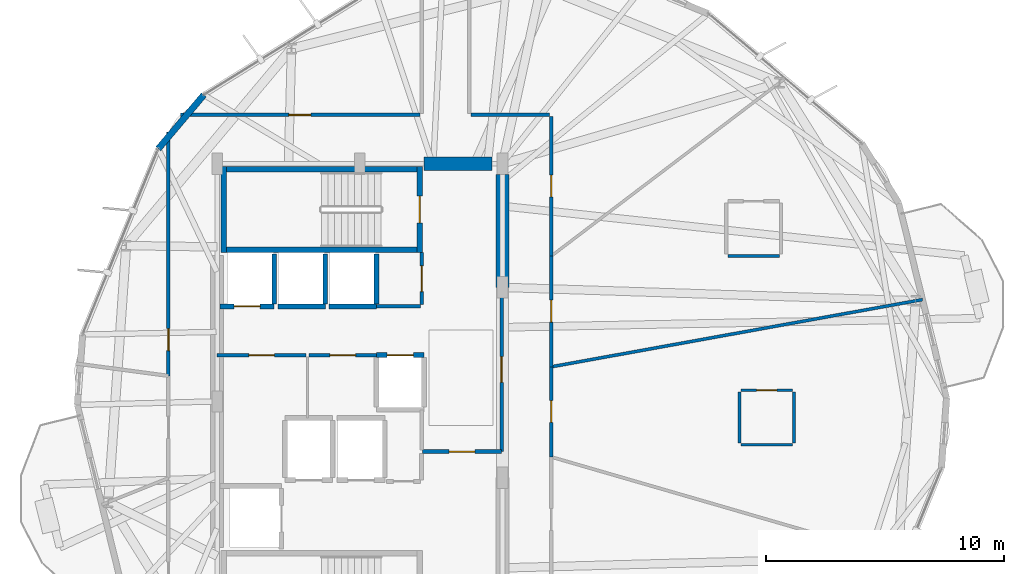
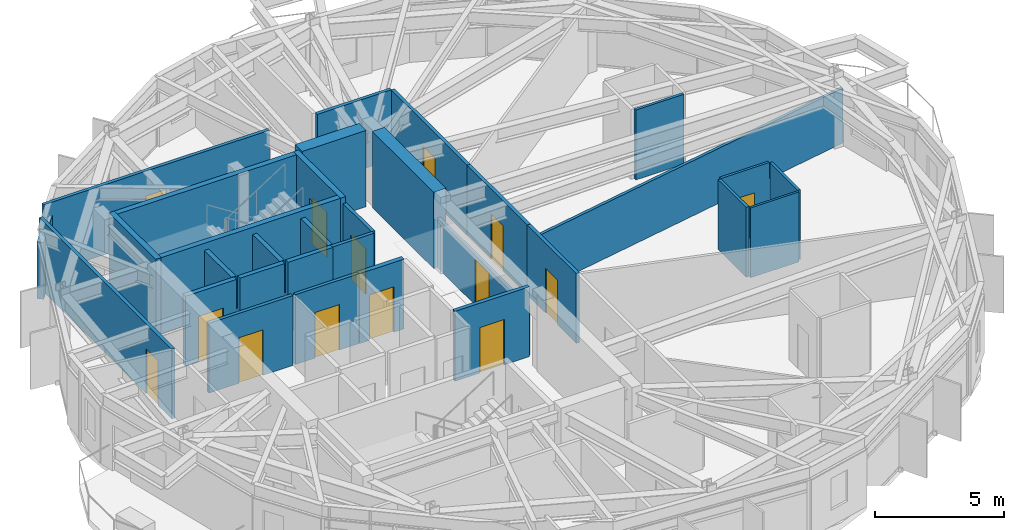
# One storey, part 16 of 21: 32 walls, 14 doors, 14 openings.
"""IFC4 building model written with IfcOpenShell, lengths in metres."""

from ifc_helpers import new_model, si_unit, direction, frame, frame_2d, origin, place, context, subcontext, project, spatial, rectangle, extrude, material, layer, layer_set, type_object, element, fill, save


model = new_model("IFC4")

# Units and contexts
model_context = context("Model", 3, precision=1e-05, world=origin(), true_north=direction((0.0, 1.0)))
body_context = subcontext(model_context, "Body", "Model", "MODEL_VIEW")
ifc_project = project(units=[si_unit("LENGTHUNIT", "METRE"), si_unit("AREAUNIT", "SQUARE_METRE"), si_unit("VOLUMEUNIT", "CUBIC_METRE"), si_unit("PLANEANGLEUNIT", "RADIAN"), si_unit("MASSUNIT", "GRAM", prefix="KILO")], contexts=[model_context])

# Site, building, storey
site_placement = place(None, origin())
site = spatial("IfcSite", under=ifc_project, at=site_placement, CompositionType="ELEMENT")
building_placement = place(site_placement, origin())
building = spatial("IfcBuilding", under=site, at=building_placement, Name="Soratama Intermodal Tower", CompositionType="ELEMENT")
storey_placement = place(building_placement, frame((0.0, 0.0, 153.39990234375)))
storey = spatial("IfcBuildingStorey", under=building, at=storey_placement, Name="L37", CompositionType="ELEMENT", Elevation=153.39990234375)

# Wall
ifc_material_1 = material(Name="Concrete f'c 42 MPa", Category="concrete")
ifc_layer_1 = layer(ifc_material_1, 0.27001953125)
ifc_layer_set_1 = layer_set([ifc_layer_1], Name="Concrete f'c 42 MPa")
wall_type_1 = type_object("IfcWallType", Name="EW-CRN-270", PredefinedType="SOLIDWALL", material=ifc_layer_set_1)
wall_1_placement = place(storey_placement, frame((32.03955078125, 37.894287109375, 0.0), z_axis=(0.0, 0.0, 1.0), x_axis=(-0.645495712839, -0.763763893299, 0.0)))
element("IfcWall", 1, at=wall_1_placement, inside=storey, type_object=wall_type_1, Name="L37 Corner Closure Wall 03", PredefinedType="SOLIDWALL", context=body_context, shape_type="SweptSolid", body=[
    extrude(rectangle(XDim=2.96630859375, YDim=0.27001953125, at=frame_2d((1.483154296875, 0.0))), origin(), (0.0, 0.0, 1.0), 2.67919921875),
])

# Wall, opening, door
ifc_material_2 = material(Name="Fire-rated gypsum stud partition", Category="concrete")
ifc_layer_2 = layer(ifc_material_2, 0.14990234375)
ifc_layer_set_2 = layer_set([ifc_layer_2], Name="Fire-rated gypsum stud partition")
wall_type_2 = type_object("IfcWallType", Name="IW-PART-R150", PredefinedType="PARTITIONING", material=ifc_layer_set_2)
wall_2_placement = place(storey_placement, frame((30.550048828125, 26.076904296875, 0.0), z_axis=(0.0, 0.0, 1.0), x_axis=(0.0, 1.0, 0.0)))
wall_2 = element("IfcWall", 2, at=wall_2_placement, inside=storey, type_object=wall_type_2, Name="L37 Partition W-L37-TP005", PredefinedType="PARTITIONING", context=body_context, shape_type="SweptSolid", body=[
    extrude(rectangle(XDim=10.254150390625, YDim=0.14990234375, at=frame_2d((5.126953125, 0.0))), origin(), (0.0, 0.0, 1.0), 3.300048828125),
])
opening_1_placement = place(wall_2_placement, frame((1.06298828125, 0.0, 0.0)))
opening_1 = element("IfcOpeningElement", 3, at=opening_1_placement, cuts=wall_2, Name="Opening ID-6", PredefinedType="OPENING", context=body_context, shape_type="SweptSolid", body=[
    extrude(rectangle(XDim=0.919921875, YDim=2.1201171875, at=frame_2d((0.4599609375, 1.06005859375))), frame((0.0, 0.0849609375, 0.0), z_axis=(0.0, -1.0, 0.0), x_axis=(1.0, 0.0, 0.0)), (0.0, 0.0, 1.0), 0.169921875),
])
ifc_material_3 = material(Name="Solid hardwood acoustic door", Category="wood")
door_type_1 = type_object("IfcDoorType", Name="DR-ROOM-920", OperationType="NOTDEFINED", PredefinedType="DOOR", material=ifc_material_3)
door_1_placement = place(opening_1_placement, origin())
door_1 = element("IfcDoor", 4, at=door_1_placement, inside=storey, type_object=door_type_1, Name="L37 Door D-L37-TP001", OperationType="SINGLE_SWING_RIGHT", OverallHeight=2.1201171875, OverallWidth=0.919921875, PredefinedType="DOOR", context=body_context, shape_type="SweptSolid", body=[
    extrude(rectangle(XDim=0.919921875, YDim=2.1201171875, at=frame_2d((0.4599609375, 1.06005859375))), frame((0.0, 0.02490234375, 0.0), z_axis=(0.0, -1.0, 0.0), x_axis=(1.0, 0.0, 0.0)), (0.0, 0.0, 1.0), 0.050048828125),
])
fill(opening_1, door_1)

wall_3_placement = place(storey_placement, frame((31.06103515625, 37.050048828125, 0.0), z_axis=(0.0, 0.0, 1.0), x_axis=(1.0, 0.0, 0.0)))
wall_3 = element("IfcWall", 5, at=wall_3_placement, inside=storey, type_object=wall_type_2, Name="L37 Partition W-L37-TP006", PredefinedType="PARTITIONING", context=body_context, shape_type="SweptSolid", body=[
    extrude(rectangle(XDim=10.06884765625, YDim=0.14990234375, at=frame_2d((5.034423828125, 0.0))), origin(), (0.0, 0.0, 1.0), 3.300048828125),
])
opening_2_placement = place(wall_3_placement, frame((4.56005859375, 0.0, 0.0)))
opening_2 = element("IfcOpeningElement", 6, at=opening_2_placement, cuts=wall_3, Name="Opening ID-6", PredefinedType="OPENING", context=body_context, shape_type="SweptSolid", body=[
    extrude(rectangle(XDim=0.919921875, YDim=2.1201171875, at=frame_2d((0.4599609375, 1.06005859375))), frame((0.0, 0.0849609375, 0.0), z_axis=(0.0, -1.0, 0.0), x_axis=(1.0, 0.0, 0.0)), (0.0, 0.0, 1.0), 0.169921875),
])
door_2_placement = place(opening_2_placement, origin())
door_2 = element("IfcDoor", 7, at=door_2_placement, inside=storey, type_object=door_type_1, Name="L37 Door D-L37-TP002", OperationType="SINGLE_SWING_LEFT", OverallHeight=2.1201171875, OverallWidth=0.919921875, PredefinedType="DOOR", context=body_context, shape_type="SweptSolid", body=[
    extrude(rectangle(XDim=0.919921875, YDim=2.1201171875, at=frame_2d((0.4599609375, 1.06005859375))), frame((0.0, 0.02490234375, 0.0), z_axis=(0.0, -1.0, 0.0), x_axis=(1.0, 0.0, 0.0)), (0.0, 0.0, 1.0), 0.050048828125),
])
fill(opening_2, door_2)

wall_4_placement = place(storey_placement, frame((44.56005859375, 29.800048828125, 0.0), z_axis=(0.0, 0.0, 1.0), x_axis=(0.0, -1.0, 0.0)))
wall_4 = element("IfcWall", 8, at=wall_4_placement, inside=storey, type_object=wall_type_2, Name="L37 Partition W-L37-TP008", PredefinedType="PARTITIONING", context=body_context, shape_type="SweptSolid", body=[
    extrude(rectangle(XDim=6.91015625, YDim=0.14990234375, at=frame_2d((3.455078125, 0.0))), origin(), (0.0, 0.0, 1.0), 2.340087890625),
])
opening_3_placement = place(wall_4_placement, frame((2.9150390625, 0.0, 0.0)))
opening_3 = element("IfcOpeningElement", 9, at=opening_3_placement, cuts=wall_4, Name="Opening ID-1", PredefinedType="OPENING", context=body_context, shape_type="SweptSolid", body=[
    extrude(rectangle(XDim=1.080078125, YDim=2.14990234375, at=frame_2d((0.5400390625, 1.074951171875))), frame((0.0, 0.0849609375, 0.0), z_axis=(0.0, -1.0, 0.0), x_axis=(1.0, 0.0, 0.0)), (0.0, 0.0, 1.0), 0.169921875),
])
ifc_material_4 = material(Name="Solid hardwood acoustic door", Category="wood")
door_type_2 = type_object("IfcDoorType", Name="DR-LOB-FD60", OperationType="NOTDEFINED", PredefinedType="DOOR", material=ifc_material_4)
door_3_placement = place(opening_3_placement, origin())
door_3 = element("IfcDoor", 10, at=door_3_placement, inside=storey, type_object=door_type_2, Name="L37 Door D-L37-TP004", OperationType="SINGLE_SWING_LEFT", OverallHeight=2.14990234375, OverallWidth=1.080078125, PredefinedType="DOOR", context=body_context, shape_type="SweptSolid", body=[
    extrude(rectangle(XDim=1.080078125, YDim=2.14990234375, at=frame_2d((0.5400390625, 1.074951171875))), frame((0.0, 0.02490234375, 0.0), z_axis=(0.0, -1.0, 0.0), x_axis=(1.0, 0.0, 0.0)), (0.0, 0.0, 1.0), 0.050048828125),
])
fill(opening_3, door_3)

wall_5_placement = place(storey_placement, frame((46.64990234375, 36.97998046875, 0.0), z_axis=(0.0, 0.0, 1.0), x_axis=(0.0, -1.0, 0.0)))
wall_5 = element("IfcWall", 11, at=wall_5_placement, inside=storey, type_object=wall_type_2, Name="L37 Partition W-L37-TP010", PredefinedType="PARTITIONING", context=body_context, shape_type="SweptSolid", body=[
    extrude(rectangle(XDim=5.864990234375, YDim=0.14990234375, at=frame_2d((2.9326171875, 0.0))), origin(), (0.0, 0.0, 1.0), 3.300048828125),
])
opening_4_placement = place(wall_5_placement, frame((2.45703125, 0.0, 0.0)))
opening_4 = element("IfcOpeningElement", 12, at=opening_4_placement, cuts=wall_5, Name="Opening ID-6", PredefinedType="OPENING", context=body_context, shape_type="SweptSolid", body=[
    extrude(rectangle(XDim=0.919921875, YDim=2.1201171875, at=frame_2d((0.4599609375, 1.06005859375))), frame((0.0, 0.0849609375, 0.0), z_axis=(0.0, -1.0, 0.0), x_axis=(1.0, 0.0, 0.0)), (0.0, 0.0, 1.0), 0.169921875),
])
door_4_placement = place(opening_4_placement, origin())
door_4 = element("IfcDoor", 13, at=door_4_placement, inside=storey, type_object=door_type_1, Name="L37 Door D-L37-TP006", OperationType="SINGLE_SWING_LEFT", OverallHeight=2.1201171875, OverallWidth=0.919921875, PredefinedType="DOOR", context=body_context, shape_type="SweptSolid", body=[
    extrude(rectangle(XDim=0.919921875, YDim=2.1201171875, at=frame_2d((0.4599609375, 1.06005859375))), frame((0.0, 0.02490234375, 0.0), z_axis=(0.0, -1.0, 0.0), x_axis=(1.0, 0.0, 0.0)), (0.0, 0.0, 1.0), 0.050048828125),
])
fill(opening_4, door_4)

wall_6_placement = place(storey_placement, frame((46.64990234375, 31.114990234375, 0.0), z_axis=(0.0, 0.0, 1.0), x_axis=(0.0, -1.0, 0.0)))
wall_6 = element("IfcWall", 14, at=wall_6_placement, inside=storey, type_object=wall_type_2, Name="L37 Partition W-L37-TP017", PredefinedType="PARTITIONING", context=body_context, shape_type="SweptSolid", body=[
    extrude(rectangle(XDim=4.656982421875, YDim=0.14990234375, at=frame_2d((2.32861328125, 0.0))), origin(), (0.0, 0.0, 1.0), 3.300048828125),
])
opening_5_placement = place(wall_6_placement, frame((1.85302734375, 0.0, 0.0)))
opening_5 = element("IfcOpeningElement", 15, at=opening_5_placement, cuts=wall_6, Name="Opening ID-6", PredefinedType="OPENING", context=body_context, shape_type="SweptSolid", body=[
    extrude(rectangle(XDim=0.919921875, YDim=2.1201171875, at=frame_2d((0.4599609375, 1.06005859375))), frame((0.0, 0.0849609375, 0.0), z_axis=(0.0, -1.0, 0.0), x_axis=(1.0, 0.0, 0.0)), (0.0, 0.0, 1.0), 0.169921875),
])
door_5_placement = place(opening_5_placement, origin())
door_5 = element("IfcDoor", 16, at=door_5_placement, inside=storey, type_object=door_type_1, Name="L37 Door D-L37-TP010", OperationType="SINGLE_SWING_LEFT", OverallHeight=2.1201171875, OverallWidth=0.919921875, PredefinedType="DOOR", context=body_context, shape_type="SweptSolid", body=[
    extrude(rectangle(XDim=0.919921875, YDim=2.1201171875, at=frame_2d((0.4599609375, 1.06005859375))), frame((0.0, 0.02490234375, 0.0), z_axis=(0.0, -1.0, 0.0), x_axis=(1.0, 0.0, 0.0)), (0.0, 0.0, 1.0), 0.050048828125),
])
fill(opening_5, door_5)

wall_7_placement = place(storey_placement, frame((46.64990234375, 26.4580078125, 0.0), z_axis=(0.0, 0.0, 1.0), x_axis=(0.0, -1.0, 0.0)))
wall_7 = element("IfcWall", 17, at=wall_7_placement, inside=storey, type_object=wall_type_2, Name="L37 Partition W-L37-TP021", PredefinedType="PARTITIONING", context=body_context, shape_type="SweptSolid", body=[
    extrude(rectangle(XDim=3.7900390625, YDim=0.14990234375, at=frame_2d((1.89501953125, 0.0))), origin(), (0.0, 0.0, 1.0), 3.300048828125),
])
opening_6_placement = place(wall_7_placement, frame((1.419921875, 0.0, 0.0)))
opening_6 = element("IfcOpeningElement", 18, at=opening_6_placement, cuts=wall_7, Name="Opening ID-6", PredefinedType="OPENING", context=body_context, shape_type="SweptSolid", body=[
    extrude(rectangle(XDim=0.919921875, YDim=2.1201171875, at=frame_2d((0.4599609375, 1.06005859375))), frame((0.0, 0.0849609375, 0.0), z_axis=(0.0, -1.0, 0.0), x_axis=(1.0, 0.0, 0.0)), (0.0, 0.0, 1.0), 0.169921875),
])
door_6_placement = place(opening_6_placement, origin())
door_6 = element("IfcDoor", 19, at=door_6_placement, inside=storey, type_object=door_type_1, Name="L37 Door D-L37-TP012", OperationType="SINGLE_SWING_LEFT", OverallHeight=2.1201171875, OverallWidth=0.919921875, PredefinedType="DOOR", context=body_context, shape_type="SweptSolid", body=[
    extrude(rectangle(XDim=0.919921875, YDim=2.1201171875, at=frame_2d((0.4599609375, 1.06005859375))), frame((0.0, 0.02490234375, 0.0), z_axis=(0.0, -1.0, 0.0), x_axis=(1.0, 0.0, 0.0)), (0.0, 0.0, 1.0), 0.050048828125),
])
fill(opening_6, door_6)

wall_8_placement = place(storey_placement, frame((36.340087890625, 26.93994140625, 0.0), z_axis=(0.0, 0.0, 1.0), x_axis=(-1.0, 0.0, 0.0)))
wall_8 = element("IfcWall", 20, at=wall_8_placement, inside=storey, type_object=wall_type_2, Name="L37 Partition W-L37-TP022", PredefinedType="PARTITIONING", context=body_context, shape_type="SweptSolid", body=[
    extrude(rectangle(XDim=3.739990234375, YDim=0.14990234375, at=frame_2d((1.8701171875, 0.0))), origin(), (0.0, 0.0, 1.0), 3.300048828125),
])
opening_7_placement = place(wall_8_placement, frame((1.330078125, 0.0, 0.0)))
opening_7 = element("IfcOpeningElement", 21, at=opening_7_placement, cuts=wall_8, Name="Opening ID-1", PredefinedType="OPENING", context=body_context, shape_type="SweptSolid", body=[
    extrude(rectangle(XDim=1.080078125, YDim=2.14990234375, at=frame_2d((0.5400390625, 1.074951171875))), frame((0.0, 0.0849609375, 0.0), z_axis=(0.0, -1.0, 0.0), x_axis=(1.0, 0.0, 0.0)), (0.0, 0.0, 1.0), 0.169921875),
])
door_7_placement = place(opening_7_placement, origin())
door_7 = element("IfcDoor", 22, at=door_7_placement, inside=storey, type_object=door_type_2, Name="L37 Door D-L37-TP013", OperationType="SINGLE_SWING_RIGHT", OverallHeight=2.14990234375, OverallWidth=1.080078125, PredefinedType="DOOR", context=body_context, shape_type="SweptSolid", body=[
    extrude(rectangle(XDim=1.080078125, YDim=2.14990234375, at=frame_2d((0.5400390625, 1.074951171875))), frame((0.0, 0.02490234375, 0.0), z_axis=(0.0, -1.0, 0.0), x_axis=(1.0, 0.0, 0.0)), (0.0, 0.0, 1.0), 0.050048828125),
])
fill(opening_7, door_7)

# Wall
wall_9_placement = place(storey_placement, frame((43.27001953125, 37.050048828125, 0.0), z_axis=(0.0, 0.0, 1.0), x_axis=(1.0, 0.0, 0.0)))
element("IfcWall", 23, at=wall_9_placement, inside=storey, type_object=wall_type_2, Name="L37 Partition W-L37-TP024", PredefinedType="PARTITIONING", context=body_context, shape_type="SweptSolid", body=[
    extrude(rectangle(XDim=3.31005859375, YDim=0.14990234375, at=frame_2d((1.655029296875, 0.0))), origin(), (0.0, 0.0, 1.0), 3.300048828125),
])

# Wall, opening, door
wall_10_placement = place(storey_placement, frame((39.300048828125, 26.93994140625, 0.0), z_axis=(0.0, 0.0, 1.0), x_axis=(-1.0, 0.0, 0.0)))
wall_10 = element("IfcWall", 24, at=wall_10_placement, inside=storey, type_object=wall_type_2, Name="L37 Partition W-L37-TP028", PredefinedType="PARTITIONING", context=body_context, shape_type="SweptSolid", body=[
    extrude(rectangle(XDim=2.840087890625, YDim=0.14990234375, at=frame_2d((1.419921875, 0.0))), origin(), (0.0, 0.0, 1.0), 3.300048828125),
])
opening_8_placement = place(wall_10_placement, frame((0.8798828125, 0.0, 0.0)))
opening_8 = element("IfcOpeningElement", 25, at=opening_8_placement, cuts=wall_10, Name="Opening ID-1", PredefinedType="OPENING", context=body_context, shape_type="SweptSolid", body=[
    extrude(rectangle(XDim=1.080078125, YDim=2.14990234375, at=frame_2d((0.5400390625, 1.074951171875))), frame((0.0, 0.0849609375, 0.0), z_axis=(0.0, -1.0, 0.0), x_axis=(1.0, 0.0, 0.0)), (0.0, 0.0, 1.0), 0.169921875),
])
door_8_placement = place(opening_8_placement, origin())
door_8 = element("IfcDoor", 26, at=door_8_placement, inside=storey, type_object=door_type_2, Name="L37 Door D-L37-TP015", OperationType="SINGLE_SWING_RIGHT", OverallHeight=2.14990234375, OverallWidth=1.080078125, PredefinedType="DOOR", context=body_context, shape_type="SweptSolid", body=[
    extrude(rectangle(XDim=1.080078125, YDim=2.14990234375, at=frame_2d((0.5400390625, 1.074951171875))), frame((0.0, 0.02490234375, 0.0), z_axis=(0.0, -1.0, 0.0), x_axis=(1.0, 0.0, 0.0)), (0.0, 0.0, 1.0), 0.050048828125),
])
fill(opening_8, door_8)

wall_11_placement = place(storey_placement, frame((41.199951171875, 29.070068359375, 0.0), z_axis=(0.0, 0.0, 1.0), x_axis=(0.0, 1.0, 0.0)))
wall_11 = element("IfcWall", 27, at=wall_11_placement, inside=storey, type_object=wall_type_2, Name="L37 Partition W-L37-TP030", PredefinedType="PARTITIONING", context=body_context, shape_type="SweptSolid", body=[
    extrude(rectangle(XDim=2.18994140625, YDim=0.14990234375, at=frame_2d((1.094970703125, 0.0))), origin(), (0.0, 0.0, 1.0), 3.300048828125),
])
opening_9_placement = place(wall_11_placement, frame((0.554931640625, 0.0, 0.0)))
opening_9 = element("IfcOpeningElement", 28, at=opening_9_placement, cuts=wall_11, Name="Opening ID-1", PredefinedType="OPENING", context=body_context, shape_type="SweptSolid", body=[
    extrude(rectangle(XDim=1.080078125, YDim=2.14990234375, at=frame_2d((0.5400390625, 1.074951171875))), frame((0.0, 0.0849609375, 0.0), z_axis=(0.0, -1.0, 0.0), x_axis=(1.0, 0.0, 0.0)), (0.0, 0.0, 1.0), 0.169921875),
])
door_9_placement = place(opening_9_placement, origin())
door_9 = element("IfcDoor", 29, at=door_9_placement, inside=storey, type_object=door_type_2, Name="L37 Door D-L37-TP016", OperationType="SINGLE_SWING_LEFT", OverallHeight=2.14990234375, OverallWidth=1.080078125, PredefinedType="DOOR", context=body_context, shape_type="SweptSolid", body=[
    extrude(rectangle(XDim=1.080078125, YDim=2.14990234375, at=frame_2d((0.5400390625, 1.074951171875))), frame((0.0, 0.02490234375, 0.0), z_axis=(0.0, -1.0, 0.0), x_axis=(1.0, 0.0, 0.0)), (0.0, 0.0, 1.0), 0.050048828125),
])
fill(opening_9, door_9)

# Wall
wall_12_placement = place(storey_placement, frame((39.300048828125, 29.010009765625, 0.0), z_axis=(0.0, 0.0, 1.0), x_axis=(1.0, 0.0, 0.0)))
element("IfcWall", 30, at=wall_12_placement, inside=storey, type_object=wall_type_2, Name="L37 Partition W-L37-TP047", PredefinedType="PARTITIONING", context=body_context, shape_type="SweptSolid", body=[
    extrude(rectangle(XDim=1.85986328125, YDim=0.14990234375, at=frame_2d((0.929931640625, 0.0))), origin(), (0.0, 0.0, 1.0), 3.300048828125),
])

# Wall, opening, door
ifc_material_5 = material(Name="Fire-rated gypsum stud partition", Category="concrete")
ifc_layer_3 = layer(ifc_material_5, 0.169921875)
ifc_layer_set_3 = layer_set([ifc_layer_3], Name="Fire-rated gypsum stud partition")
wall_type_3 = type_object("IfcWallType", Name="IW-PART-R170", PredefinedType="PARTITIONING", material=ifc_layer_set_3)
wall_13_placement = place(storey_placement, frame((41.239990234375, 22.889892578125, 0.0), z_axis=(0.0, 0.0, 1.0), x_axis=(1.0, 0.0, 0.0)))
wall_13 = element("IfcWall", 31, at=wall_13_placement, inside=storey, type_object=wall_type_3, Name="L37 Partition W-L37-TP023", PredefinedType="PARTITIONING", context=body_context, shape_type="SweptSolid", body=[
    extrude(rectangle(XDim=3.320068359375, YDim=0.169921875, at=frame_2d((1.66015625, 0.0))), origin(), (0.0, 0.0, 1.0), 3.300048828125),
])
opening_10_placement = place(wall_13_placement, frame((1.1201171875, 0.0, 0.0)))
opening_10 = element("IfcOpeningElement", 32, at=opening_10_placement, cuts=wall_13, Name="Opening ID-0", PredefinedType="OPENING", context=body_context, shape_type="SweptSolid", body=[
    extrude(rectangle(XDim=1.080078125, YDim=2.14990234375, at=frame_2d((0.5400390625, 1.074951171875))), frame((0.0, 0.094970703125, 0.0), z_axis=(0.0, -1.0, 0.0), x_axis=(1.0, 0.0, 0.0)), (0.0, 0.0, 1.0), 0.18994140625),
])
ifc_material_6 = material(Name="Solid hardwood acoustic door", Category="wood")
door_type_3 = type_object("IfcDoorType", Name="DR-LOB-FD90", OperationType="NOTDEFINED", PredefinedType="DOOR", material=ifc_material_6)
door_10_placement = place(opening_10_placement, origin())
door_10 = element("IfcDoor", 33, at=door_10_placement, inside=storey, type_object=door_type_3, Name="L37 Door D-L37-TP014", OperationType="SINGLE_SWING_LEFT", OverallHeight=2.14990234375, OverallWidth=1.080078125, PredefinedType="DOOR", context=body_context, shape_type="SweptSolid", body=[
    extrude(rectangle(XDim=1.080078125, YDim=2.14990234375, at=frame_2d((0.5400390625, 1.074951171875))), frame((0.0, 0.02490234375, 0.0), z_axis=(0.0, -1.0, 0.0), x_axis=(1.0, 0.0, 0.0)), (0.0, 0.0, 1.0), 0.050048828125),
])
fill(opening_10, door_10)

# Wall
ifc_material_7 = material(Name="Fire-rated gypsum stud partition", Category="concrete")
ifc_layer_4 = layer(ifc_material_7, 0.10009765625)
ifc_layer_set_4 = layer_set([ifc_layer_4], Name="Fire-rated gypsum stud partition")
wall_type_4 = type_object("IfcWallType", Name="IW-PART-S100", PredefinedType="PARTITIONING", material=ifc_layer_set_4)
wall_14_placement = place(storey_placement, frame((54.632080078125, 23.177978515625, 0.0), z_axis=(0.0, 0.0, 1.0), x_axis=(1.0, 0.0, 0.0)))
element("IfcWall", 34, at=wall_14_placement, inside=storey, type_object=wall_type_4, Name="L37 Partition W-L37-TP034", PredefinedType="PARTITIONING", context=body_context, shape_type="SweptSolid", body=[
    extrude(rectangle(XDim=2.159912109375, YDim=0.10009765625, at=frame_2d((1.080078125, 0.0))), origin(), (0.0, 0.0, 1.0), 3.300048828125),
])

# Wall, opening, door
ifc_material_8 = material(Name="Fire-rated gypsum stud partition", Category="concrete")
ifc_layer_5 = layer(ifc_material_8, 0.110107421875)
ifc_layer_set_5 = layer_set([ifc_layer_5], Name="Fire-rated gypsum stud partition")
wall_type_5 = type_object("IfcWallType", Name="IW-PART-S110", PredefinedType="PARTITIONING", material=ifc_layer_set_5)
wall_15_placement = place(storey_placement, frame((56.7919921875, 25.47802734375, 0.0), z_axis=(0.0, 0.0, 1.0), x_axis=(-1.0, 0.0, 0.0)))
wall_15 = element("IfcWall", 35, at=wall_15_placement, inside=storey, type_object=wall_type_5, Name="L37 Partition W-L37-TP033", PredefinedType="PARTITIONING", context=body_context, shape_type="SweptSolid", body=[
    extrude(rectangle(XDim=2.159912109375, YDim=0.110107421875, at=frame_2d((1.080078125, 0.0))), origin(), (0.0, 0.0, 1.0), 3.300048828125),
])
opening_11_placement = place(wall_15_placement, frame((0.655029296875, 0.0, 0.0)))
opening_11 = element("IfcOpeningElement", 36, at=opening_11_placement, cuts=wall_15, Name="Opening ID-4", PredefinedType="OPENING", context=body_context, shape_type="SweptSolid", body=[
    extrude(rectangle(XDim=0.85009765625, YDim=2.10009765625, at=frame_2d((0.425048828125, 1.050048828125))), frame((0.0, 0.06494140625, 0.0), z_axis=(0.0, -1.0, 0.0), x_axis=(1.0, 0.0, 0.0)), (0.0, 0.0, 1.0), 0.130126953125),
])
ifc_material_9 = material(Name="Solid hardwood acoustic door", Category="wood")
door_type_4 = type_object("IfcDoorType", Name="DR-BATH-850", OperationType="NOTDEFINED", PredefinedType="DOOR", material=ifc_material_9)
door_11_placement = place(opening_11_placement, origin())
door_11 = element("IfcDoor", 37, at=door_11_placement, inside=storey, type_object=door_type_4, Name="L37 Door D-L37-TP018", OperationType="SINGLE_SWING_LEFT", OverallHeight=2.10009765625, OverallWidth=0.85009765625, PredefinedType="DOOR", context=body_context, shape_type="SweptSolid", body=[
    extrude(rectangle(XDim=0.85009765625, YDim=2.10009765625, at=frame_2d((0.425048828125, 1.050048828125))), frame((0.0, 0.02490234375, 0.0), z_axis=(0.0, -1.0, 0.0), x_axis=(1.0, 0.0, 0.0)), (0.0, 0.0, 1.0), 0.050048828125),
])
fill(opening_11, door_11)

# Walls
ifc_material_10 = material(Name="Fire-rated gypsum stud partition", Category="concrete")
ifc_layer_6 = layer(ifc_material_10, 0.1201171875)
ifc_layer_set_6 = layer_set([ifc_layer_6], Name="Fire-rated gypsum stud partition")
wall_type_6 = type_object("IfcWallType", Name="IW-PART-S120", PredefinedType="PARTITIONING", material=ifc_layer_set_6)
for number, where, z_axis, x_axis, name in (
    (38, (54.080078125, 31.123046875, 0.0), (0.0, 0.0, 1.0), (1.0, 0.0, 0.0), "L37 Partition W-L37-TP032"),
    (39, (56.862060546875, 23.248046875, 0.0), (0.0, 0.0, 1.0), (0.0, 1.0, 0.0), "L37 Partition W-L37-TP042"),
):
    element("IfcWall", number, at=place(storey_placement, frame(where, z_axis=z_axis, x_axis=x_axis)), inside=storey, type_object=wall_type_6, Name=name, PredefinedType="PARTITIONING", context=body_context, shape_type="SweptSolid", body=[
        extrude(rectangle(XDim=2.159912109375, YDim=0.1201171875, at=frame_2d((1.080078125, 0.0))), origin(), (0.0, 0.0, 1.0), 3.300048828125),
    ])
ifc_material_11 = material(Name="Fire-rated gypsum stud partition", Category="concrete")
ifc_layer_7 = layer(ifc_material_11, 0.1298828125)
ifc_layer_set_7 = layer_set([ifc_layer_7], Name="Fire-rated gypsum stud partition")
wall_type_7 = type_object("IfcWallType", Name="IW-PART-S130", PredefinedType="PARTITIONING", material=ifc_layer_set_7)
wall_16_placement = place(storey_placement, frame((62.264892578125, 29.284912109375, 0.0), z_axis=(0.0, 0.0, 1.0), x_axis=(-0.984004770571, -0.17814211039, 0.0)))
element("IfcWall", 40, at=wall_16_placement, inside=storey, type_object=wall_type_7, Name="L37 Partition W-L37-TP001", PredefinedType="PARTITIONING", context=body_context, shape_type="SweptSolid", body=[
    extrude(rectangle(XDim=15.868896484375, YDim=0.1298828125, at=frame_2d((7.9345703125, 0.0))), origin(), (0.0, 0.0, 1.0), 2.59521484375),
])
wall_17_placement = place(storey_placement, frame((54.56201171875, 25.407958984375, 0.0), z_axis=(0.0, 0.0, 1.0), x_axis=(0.0, -1.0, 0.0)))
element("IfcWall", 41, at=wall_17_placement, inside=storey, type_object=wall_type_7, Name="L37 Partition W-L37-TP041", PredefinedType="PARTITIONING", context=body_context, shape_type="SweptSolid", body=[
    extrude(rectangle(XDim=2.159912109375, YDim=0.1298828125, at=frame_2d((1.080078125, 0.0))), origin(), (0.0, 0.0, 1.0), 3.300048828125),
])

# Wall, opening, door
ifc_material_12 = material(Name="Concrete f'c 42 MPa", Category="concrete")
ifc_layer_8 = layer(ifc_material_12, 0.199951171875)
ifc_layer_set_8 = layer_set([ifc_layer_8], Name="Concrete f'c 42 MPa")
wall_type_8 = type_object("IfcWallType", Name="IW-SHAFT-200", PredefinedType="SOLIDWALL", material=ifc_layer_set_8)
wall_18_placement = place(storey_placement, frame((39.300048828125, 26.949951171875, 0.0), z_axis=(0.0, 0.0, 1.0), x_axis=(1.0, 0.0, 0.0)))
wall_18 = element("IfcWall", 42, at=wall_18_placement, inside=storey, type_object=wall_type_8, Name="L37 PL-M1 Hoistway Wall N", PredefinedType="SOLIDWALL", context=body_context, shape_type="SweptSolid", body=[
    extrude(rectangle(XDim=2.0, YDim=0.199951171875, at=frame_2d((1.0, 0.0))), origin(), (0.0, 0.0, 1.0), 3.300048828125),
])
opening_12_placement = place(wall_18_placement, frame((0.449951171875, 0.0, 0.0)))
opening_12 = element("IfcOpeningElement", 43, at=opening_12_placement, cuts=wall_18, Name="Opening LD-1", PredefinedType="OPENING", context=body_context, shape_type="SweptSolid", body=[
    extrude(rectangle(XDim=1.10009765625, YDim=2.14990234375, at=frame_2d((0.550048828125, 1.074951171875))), frame((0.0, 0.10986328125, 0.0), z_axis=(0.0, -1.0, 0.0), x_axis=(1.0, 0.0, 0.0)), (0.0, 0.0, 1.0), 0.219970703125),
])
ifc_material_13 = material(Name="Steel fire door", Category="steel")
door_type_5 = type_object("IfcDoorType", Name="DR-LIFT-SLIDE", OperationType="NOTDEFINED", PredefinedType="DOOR", material=ifc_material_13)
door_12_placement = place(opening_12_placement, origin())
door_12 = element("IfcDoor", 44, at=door_12_placement, inside=storey, type_object=door_type_5, Name="L37 PL-M1 Sliding Landing Door", OperationType="SLIDING_TO_LEFT", OverallHeight=2.14990234375, OverallWidth=1.10009765625, PredefinedType="DOOR", context=body_context, shape_type="SweptSolid", body=[
    extrude(rectangle(XDim=1.10009765625, YDim=2.14990234375, at=frame_2d((0.550048828125, 1.074951171875))), frame((0.0, 0.02490234375, 0.0), z_axis=(0.0, -1.0, 0.0), x_axis=(1.0, 0.0, 0.0)), (0.0, 0.0, 1.0), 0.050048828125),
])
fill(opening_12, door_12)

wall_19_placement = place(storey_placement, frame((32.719970703125, 29.0, 0.0), z_axis=(0.0, 0.0, 1.0), x_axis=(1.0, 0.0, 0.0)))
wall_19 = element("IfcWall", 45, at=wall_19_placement, inside=storey, type_object=wall_type_8, Name="L37 PL-M2 Hoistway Wall S", PredefinedType="SOLIDWALL", context=body_context, shape_type="SweptSolid", body=[
    extrude(rectangle(XDim=2.280029296875, YDim=0.199951171875, at=frame_2d((1.14013671875, 0.0))), origin(), (0.0, 0.0, 1.0), 3.300048828125),
])
opening_13_placement = place(wall_19_placement, frame((0.590087890625, 0.0, 0.0)))
opening_13 = element("IfcOpeningElement", 46, at=opening_13_placement, cuts=wall_19, Name="Opening LD-1", PredefinedType="OPENING", context=body_context, shape_type="SweptSolid", body=[
    extrude(rectangle(XDim=1.10009765625, YDim=2.14990234375, at=frame_2d((0.550048828125, 1.074951171875))), frame((0.0, 0.10986328125, 0.0), z_axis=(0.0, -1.0, 0.0), x_axis=(1.0, 0.0, 0.0)), (0.0, 0.0, 1.0), 0.219970703125),
])
door_13_placement = place(opening_13_placement, origin())
door_13 = element("IfcDoor", 47, at=door_13_placement, inside=storey, type_object=door_type_5, Name="L37 PL-M2 Sliding Landing Door", OperationType="SLIDING_TO_LEFT", OverallHeight=2.14990234375, OverallWidth=1.10009765625, PredefinedType="DOOR", context=body_context, shape_type="SweptSolid", body=[
    extrude(rectangle(XDim=1.10009765625, YDim=2.14990234375, at=frame_2d((0.550048828125, 1.074951171875))), frame((0.0, 0.02490234375, 0.0), z_axis=(0.0, -1.0, 0.0), x_axis=(1.0, 0.0, 0.0)), (0.0, 0.0, 1.0), 0.050048828125),
])
fill(opening_13, door_13)

# Walls
wall_20_placement = place(storey_placement, frame((35.0, 29.110107421875, 0.0), z_axis=(0.0, 0.0, 1.0), x_axis=(0.0, 1.0, 0.0)))
element("IfcWall", 48, at=wall_20_placement, inside=storey, type_object=wall_type_8, Name="L37 PL-M2 Hoistway Wall E", PredefinedType="SOLIDWALL", context=body_context, shape_type="SweptSolid", body=[
    extrude(rectangle(XDim=2.099853515625, YDim=0.199951171875, at=frame_2d((1.0498046875, 0.0))), origin(), (0.0, 0.0, 1.0), 3.300048828125),
])
wall_21_placement = place(storey_placement, frame((35.14990234375, 29.0, 0.0), z_axis=(0.0, 0.0, 1.0), x_axis=(1.0, 0.0, 0.0)))
element("IfcWall", 49, at=wall_21_placement, inside=storey, type_object=wall_type_8, Name="L37 PL-H1 Hoistway Wall S", PredefinedType="SOLIDWALL", context=body_context, shape_type="SweptSolid", body=[
    extrude(rectangle(XDim=2.0, YDim=0.199951171875, at=frame_2d((1.0, 0.0))), origin(), (0.0, 0.0, 1.0), 3.300048828125),
])
wall_22_placement = place(storey_placement, frame((37.14990234375, 29.110107421875, 0.0), z_axis=(0.0, 0.0, 1.0), x_axis=(0.0, 1.0, 0.0)))
element("IfcWall", 50, at=wall_22_placement, inside=storey, type_object=wall_type_8, Name="L37 PL-H1 Hoistway Wall E", PredefinedType="SOLIDWALL", context=body_context, shape_type="SweptSolid", body=[
    extrude(rectangle(XDim=2.099853515625, YDim=0.199951171875, at=frame_2d((1.0498046875, 0.0))), origin(), (0.0, 0.0, 1.0), 3.300048828125),
])
wall_23_placement = place(storey_placement, frame((37.300048828125, 29.0, 0.0), z_axis=(0.0, 0.0, 1.0), x_axis=(1.0, 0.0, 0.0)))
element("IfcWall", 51, at=wall_23_placement, inside=storey, type_object=wall_type_8, Name="L37 PL-H2 Hoistway Wall S", PredefinedType="SOLIDWALL", context=body_context, shape_type="SweptSolid", body=[
    extrude(rectangle(XDim=2.0, YDim=0.199951171875, at=frame_2d((1.0, 0.0))), origin(), (0.0, 0.0, 1.0), 3.300048828125),
])
wall_24_placement = place(storey_placement, frame((39.300048828125, 29.110107421875, 0.0), z_axis=(0.0, 0.0, 1.0), x_axis=(0.0, 1.0, 0.0)))
element("IfcWall", 52, at=wall_24_placement, inside=storey, type_object=wall_type_8, Name="L37 PL-H2 Hoistway Wall E", PredefinedType="SOLIDWALL", context=body_context, shape_type="SweptSolid", body=[
    extrude(rectangle(XDim=2.099853515625, YDim=0.199951171875, at=frame_2d((1.0498046875, 0.0))), origin(), (0.0, 0.0, 1.0), 3.300048828125),
])
ifc_material_14 = material(Name="Concrete f'c 56 MPa", Category="concrete")
ifc_layer_9 = layer(ifc_material_14, 0.550048828125)
ifc_layer_set_9 = layer_set([ifc_layer_9], Name="Concrete f'c 56 MPa")
wall_type_9 = type_object("IfcWallType", Name="SW-CORE-550", PredefinedType="SHEAR", material=ifc_layer_set_9)
wall_25_placement = place(storey_placement, frame((41.300048828125, 35.0, 0.0), z_axis=(0.0, 0.0, 1.0), x_axis=(1.0, 0.0, 0.0)))
element("IfcWall", 53, at=wall_25_placement, inside=storey, type_object=wall_type_9, Name="L37 Core Shear Wall CW-NE", PredefinedType="SHEAR", context=body_context, shape_type="SweptSolid", body=[
    extrude(rectangle(XDim=2.849853515625, YDim=0.550048828125, at=frame_2d((1.4248046875, 0.0))), origin(), (0.0, 0.0, 1.0), 3.60009765625),
])
wall_26_placement = place(storey_placement, frame((44.60009765625, 29.800048828125, 0.0), z_axis=(0.0, 0.0, 1.0), x_axis=(0.0, 1.0, 0.0)))
element("IfcWall", 54, at=wall_26_placement, inside=storey, type_object=wall_type_9, Name="L37 Core Shear Wall CW-EN", PredefinedType="SHEAR", context=body_context, shape_type="SweptSolid", body=[
    extrude(rectangle(XDim=4.75, YDim=0.550048828125, at=frame_2d((2.375, 0.0))), origin(), (0.0, 0.0, 1.0), 3.60009765625),
])
ifc_material_15 = material(Name="Concrete f'c 56 MPa", Category="concrete")
ifc_layer_10 = layer(ifc_material_15, 0.239990234375)
ifc_layer_set_10 = layer_set([ifc_layer_10], Name="Concrete f'c 56 MPa")
wall_type_10 = type_object("IfcWallType", Name="SW-STAIR-240", PredefinedType="SHEAR", material=ifc_layer_set_10)
wall_27_placement = place(storey_placement, frame((32.8798828125, 31.260009765625, 0.0), z_axis=(0.0, 0.0, 1.0), x_axis=(0.0, 1.0, 0.0)))
element("IfcWall", 55, at=wall_27_placement, inside=storey, type_object=wall_type_10, Name="L37 ST-2 Shaft Shear Wall W", PredefinedType="SHEAR", context=body_context, shape_type="SweptSolid", body=[
    extrude(rectangle(XDim=3.6298828125, YDim=0.239990234375, at=frame_2d((1.81494140625, 0.0))), origin(), (0.0, 0.0, 1.0), 3.60009765625),
])

# Wall, opening, door
wall_28_placement = place(storey_placement, frame((41.1201171875, 31.260009765625, 0.0), z_axis=(0.0, 0.0, 1.0), x_axis=(0.0, 1.0, 0.0)))
wall_28 = element("IfcWall", 56, at=wall_28_placement, inside=storey, type_object=wall_type_10, Name="L37 ST-2 Shaft Shear Wall E", PredefinedType="SHEAR", context=body_context, shape_type="SweptSolid", body=[
    extrude(rectangle(XDim=3.6298828125, YDim=0.239990234375, at=frame_2d((1.81494140625, 0.0))), origin(), (0.0, 0.0, 1.0), 3.60009765625),
])
opening_14_placement = place(wall_28_placement, frame((1.2548828125, 0.0, 0.0)))
opening_14 = element("IfcOpeningElement", 57, at=opening_14_placement, cuts=wall_28, Name="Opening SD-1", PredefinedType="OPENING", context=body_context, shape_type="SweptSolid", body=[
    extrude(rectangle(XDim=1.1201171875, YDim=2.14990234375, at=frame_2d((0.56005859375, 1.074951171875))), frame((0.0, 0.1298828125, 0.0), z_axis=(0.0, -1.0, 0.0), x_axis=(1.0, 0.0, 0.0)), (0.0, 0.0, 1.0), 0.260009765625),
])
ifc_material_16 = material(Name="Steel fire door", Category="steel")
door_type_6 = type_object("IfcDoorType", Name="DR-STAIR-FD90", OperationType="NOTDEFINED", PredefinedType="DOOR", material=ifc_material_16)
door_14_placement = place(opening_14_placement, origin())
door_14 = element("IfcDoor", 58, at=door_14_placement, inside=storey, type_object=door_type_6, Name="L37 ST-2 Exit Stair Door", OperationType="SINGLE_SWING_RIGHT", OverallHeight=2.14990234375, OverallWidth=1.1201171875, PredefinedType="DOOR", context=body_context, shape_type="SweptSolid", body=[
    extrude(rectangle(XDim=1.1201171875, YDim=2.14990234375, at=frame_2d((0.56005859375, 1.074951171875))), frame((0.0, 0.02490234375, 0.0), z_axis=(0.0, -1.0, 0.0), x_axis=(1.0, 0.0, 0.0)), (0.0, 0.0, 1.0), 0.050048828125),
])
fill(opening_14, door_14)

# Walls
for number, where, z_axis, x_axis, name in (
    (59, (33.0, 31.3798828125, 0.0), (0.0, 0.0, 1.0), (1.0, 0.0, 0.0), "L37 ST-2 Shaft Shear Wall S"),
    (60, (33.0, 34.77001953125, 0.0), (0.0, 0.0, 1.0), (1.0, 0.0, 0.0), "L37 ST-2 Shaft Shear Wall N"),
):
    element("IfcWall", number, at=place(storey_placement, frame(where, z_axis=z_axis, x_axis=x_axis)), inside=storey, type_object=wall_type_10, Name=name, PredefinedType="SHEAR", context=body_context, shape_type="SweptSolid", body=[
        extrude(rectangle(XDim=8.0, YDim=0.239990234375, at=frame_2d((4.0, 0.0))), origin(), (0.0, 0.0, 1.0), 3.60009765625),
    ])

save(model, "model.ifc")
